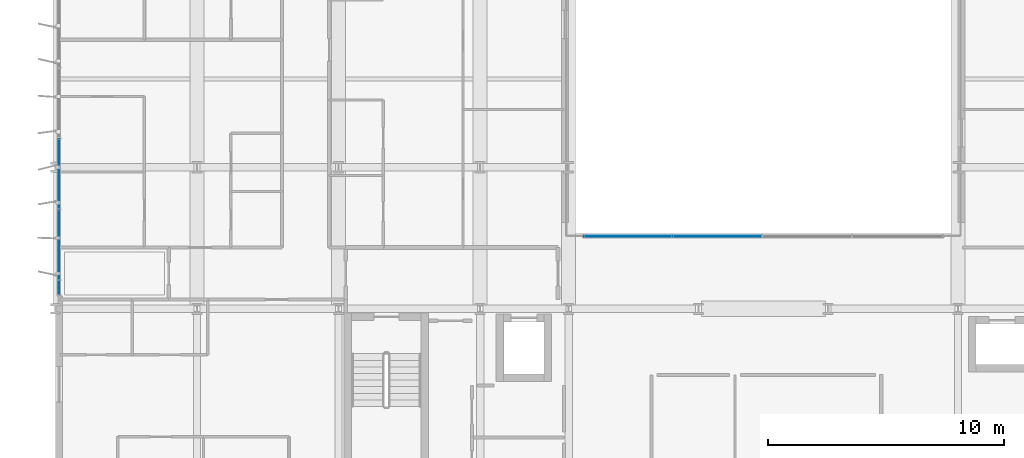
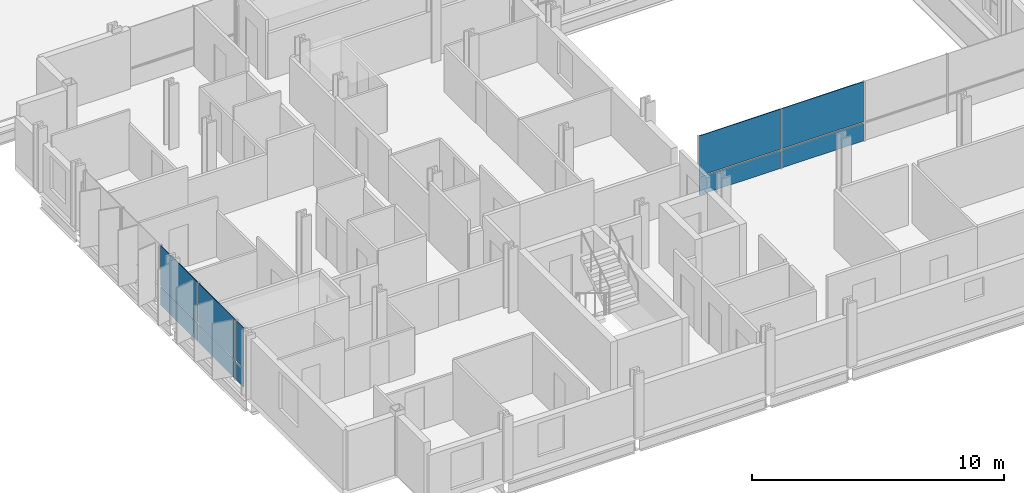
# One storey, part 22 of 38: 10 plates, 2 elements without a shape of their own.
"""IFC4 building model written with IfcOpenShell, lengths in metres."""

from ifc_helpers import new_model, si_unit, direction, frame, origin, origin_2d, place, context, subcontext, project, spatial, rectangle, extrude, material, layer, layer_set, type_object, element, aggregate, save


model = new_model("IFC4")

# Units and contexts
model_context = context("Model", 3, precision=1e-05, world=origin(), true_north=direction((0.0, 1.0)))
body_context = subcontext(model_context, "Body", "Model", "MODEL_VIEW")
ifc_project = project(units=[si_unit("LENGTHUNIT", "METRE"), si_unit("AREAUNIT", "SQUARE_METRE"), si_unit("VOLUMEUNIT", "CUBIC_METRE"), si_unit("PLANEANGLEUNIT", "RADIAN"), si_unit("MASSUNIT", "GRAM", prefix="KILO")], contexts=[model_context])

# Site, building, storey
site_placement = place(None, origin())
site = spatial("IfcSite", under=ifc_project, at=site_placement, CompositionType="ELEMENT")
building_placement = place(site_placement, origin())
building = spatial("IfcBuilding", under=site, at=building_placement, Name="Brevholm Reach", CompositionType="ELEMENT")
storey_placement = place(building_placement, frame((0.0, 0.0, 28.0)))
storey = spatial("IfcBuildingStorey", under=building, at=storey_placement, Name="L06", CompositionType="ELEMENT", Elevation=28.0)

# Curtain wall, plates
ifc_material_1 = material(Name="Dark Anodised Aluminium 6063-T6 and Solar-Control Glass", Category="aluminium")
ifc_layer_1 = layer(ifc_material_1, 0.14990234375)
ifc_layer_set_1 = layer_set([ifc_layer_1], Name="Dark Anodised Aluminium 6063-T6 and Solar-Control Glass")
curtain_wall_type_1 = type_object("IfcCurtainWallType", Name="CW-01", PredefinedType="NOTDEFINED", material=ifc_layer_set_1)
curtain_wall_1_placement = place(storey_placement, origin())
curtain_wall_1 = element("IfcCurtainWall", 1, at=curtain_wall_1_placement, inside=storey, type_object=curtain_wall_type_1, Name="L06 Curtain Wall CW-01", PredefinedType="NOTDEFINED")
ifc_material_2 = material(Name="Dark Solar-Control Double-Glazed IGU Glass", Category="glass")
ifc_layer_2 = layer(ifc_material_2, 0.028076171875)
ifc_layer_set_2 = layer_set([ifc_layer_2], Name="Dark Solar-Control Double-Glazed IGU Glass")
plate_type_1 = type_object("IfcPlateType", Name="CWP-GLZ-28", PredefinedType="CURTAIN_PANEL", material=ifc_layer_set_2)
plate_1_placement = place(storey_placement, frame((0.14990234375, 15.719970703125, 0.0), z_axis=(0.0, 0.0, 1.0), x_axis=(0.0, -1.0, 0.0)))
plate_1 = element("IfcPlate", 2, at=plate_1_placement, type_object=plate_type_1, Name="CP-01 Glazing Panel 3.1", PredefinedType="CURTAIN_PANEL", context=body_context, shape_type="SweptSolid", body=[
    extrude(rectangle(XDim=2.93505859375, YDim=0.028076171875, at=origin_2d()), origin(), (0.0, 0.0, 1.0), 0.867431640625),
])
plate_2_placement = place(storey_placement, frame((0.14990234375, 15.719970703125, 0.9326171875), z_axis=(0.0, 0.0, 1.0), x_axis=(0.0, -1.0, 0.0)))
plate_2 = element("IfcPlate", 3, at=plate_2_placement, type_object=plate_type_1, Name="CP-01 Glazing Panel 3.2", PredefinedType="CURTAIN_PANEL", context=body_context, shape_type="SweptSolid", body=[
    extrude(rectangle(XDim=2.93505859375, YDim=0.028076171875, at=origin_2d()), origin(), (0.0, 0.0, 1.0), 1.9375),
])
plate_3_placement = place(storey_placement, frame((0.14990234375, 12.719970703125, 0.0), z_axis=(0.0, 0.0, 1.0), x_axis=(0.0, -1.0, 0.0)))
plate_3 = element("IfcPlate", 4, at=plate_3_placement, type_object=plate_type_1, Name="CP-01 Glazing Panel 4.1", PredefinedType="CURTAIN_PANEL", context=body_context, shape_type="SweptSolid", body=[
    extrude(rectangle(XDim=2.93505859375, YDim=0.028076171875, at=origin_2d()), origin(), (0.0, 0.0, 1.0), 0.867431640625),
])
plate_4_placement = place(storey_placement, frame((0.14990234375, 12.719970703125, 0.9326171875), z_axis=(0.0, 0.0, 1.0), x_axis=(0.0, -1.0, 0.0)))
plate_4 = element("IfcPlate", 5, at=plate_4_placement, type_object=plate_type_1, Name="CP-01 Glazing Panel 4.2", PredefinedType="CURTAIN_PANEL", context=body_context, shape_type="SweptSolid", body=[
    extrude(rectangle(XDim=2.93505859375, YDim=0.028076171875, at=origin_2d()), origin(), (0.0, 0.0, 1.0), 1.9375),
])
plate_5_placement = place(storey_placement, frame((0.14990234375, 10.9013671875, 0.0), z_axis=(0.0, 0.0, 1.0), x_axis=(0.0, -1.0, 0.0)))
plate_5 = element("IfcPlate", 6, at=plate_5_placement, type_object=plate_type_1, Name="CP-01 Glazing Panel 5.1", PredefinedType="CURTAIN_PANEL", context=body_context, shape_type="SweptSolid", body=[
    extrude(rectangle(XDim=0.572509765625, YDim=0.028076171875, at=origin_2d()), origin(), (0.0, 0.0, 1.0), 0.867431640625),
])
plate_6_placement = place(storey_placement, frame((0.14990234375, 10.9013671875, 0.9326171875), z_axis=(0.0, 0.0, 1.0), x_axis=(0.0, -1.0, 0.0)))
plate_6 = element("IfcPlate", 7, at=plate_6_placement, type_object=plate_type_1, Name="CP-01 Glazing Panel 5.2", PredefinedType="CURTAIN_PANEL", context=body_context, shape_type="SweptSolid", body=[
    extrude(rectangle(XDim=0.572509765625, YDim=0.028076171875, at=origin_2d()), origin(), (0.0, 0.0, 1.0), 1.9375),
])
aggregate(curtain_wall_1, [plate_1, plate_2, plate_3, plate_4, plate_5, plate_6])

ifc_material_3 = material(Name="Dark Anodised Aluminium 6063-T6 and Solar-Control Glass", Category="aluminium")
ifc_layer_3 = layer(ifc_material_3, 0.139892578125)
ifc_layer_set_3 = layer_set([ifc_layer_3], Name="Dark Anodised Aluminium 6063-T6 and Solar-Control Glass")
curtain_wall_type_2 = type_object("IfcCurtainWallType", Name="CW-02", PredefinedType="NOTDEFINED", material=ifc_layer_set_3)
curtain_wall_2_placement = place(storey_placement, origin())
curtain_wall_2 = element("IfcCurtainWall", 8, at=curtain_wall_2_placement, inside=storey, type_object=curtain_wall_type_2, Name="L06 Curtain Wall CW-02", PredefinedType="NOTDEFINED")
ifc_material_4 = material(Name="Low-Iron Laminated Acoustic Glass", Category="glass")
ifc_layer_4 = layer(ifc_material_4, 0.035888671875)
ifc_layer_set_4 = layer_set([ifc_layer_4], Name="Low-Iron Laminated Acoustic Glass")
plate_type_2 = type_object("IfcPlateType", Name="CWP-GLZ-36", PredefinedType="CURTAIN_PANEL", material=ifc_layer_set_4)
plate_7_placement = place(storey_placement, frame((24.264892578125, 13.080078125, 0.0), z_axis=(0.0, 0.0, 1.0), x_axis=(1.0, 0.0, 0.0)))
plate_7 = element("IfcPlate", 9, at=plate_7_placement, type_object=plate_type_2, Name="CP-02 Glazing Panel 1.1", PredefinedType="CURTAIN_PANEL", context=body_context, shape_type="SweptSolid", body=[
    extrude(rectangle(XDim=3.7099609375, YDim=0.035888671875, at=origin_2d()), origin(), (0.0, 0.0, 1.0), 0.8701171875),
])
plate_8_placement = place(storey_placement, frame((24.264892578125, 13.080078125, 0.929931640625), z_axis=(0.0, 0.0, 1.0), x_axis=(1.0, 0.0, 0.0)))
plate_8 = element("IfcPlate", 10, at=plate_8_placement, type_object=plate_type_2, Name="CP-02 Glazing Panel 1.2", PredefinedType="CURTAIN_PANEL", context=body_context, shape_type="SweptSolid", body=[
    extrude(rectangle(XDim=3.7099609375, YDim=0.035888671875, at=origin_2d()), origin(), (0.0, 0.0, 1.0), 1.93994140625),
])
plate_9_placement = place(storey_placement, frame((28.050048828125, 13.080078125, 0.0), z_axis=(0.0, 0.0, 1.0), x_axis=(1.0, 0.0, 0.0)))
plate_9 = element("IfcPlate", 11, at=plate_9_placement, type_object=plate_type_2, Name="CP-02 Glazing Panel 2.1", PredefinedType="CURTAIN_PANEL", context=body_context, shape_type="SweptSolid", body=[
    extrude(rectangle(XDim=3.739990234375, YDim=0.035888671875, at=origin_2d()), origin(), (0.0, 0.0, 1.0), 0.8701171875),
])
plate_10_placement = place(storey_placement, frame((28.050048828125, 13.080078125, 0.929931640625), z_axis=(0.0, 0.0, 1.0), x_axis=(1.0, 0.0, 0.0)))
plate_10 = element("IfcPlate", 12, at=plate_10_placement, type_object=plate_type_2, Name="CP-02 Glazing Panel 2.2", PredefinedType="CURTAIN_PANEL", context=body_context, shape_type="SweptSolid", body=[
    extrude(rectangle(XDim=3.739990234375, YDim=0.035888671875, at=origin_2d()), origin(), (0.0, 0.0, 1.0), 1.93994140625),
])
aggregate(curtain_wall_2, [plate_7, plate_8, plate_9, plate_10])

save(model, "model.ifc")
